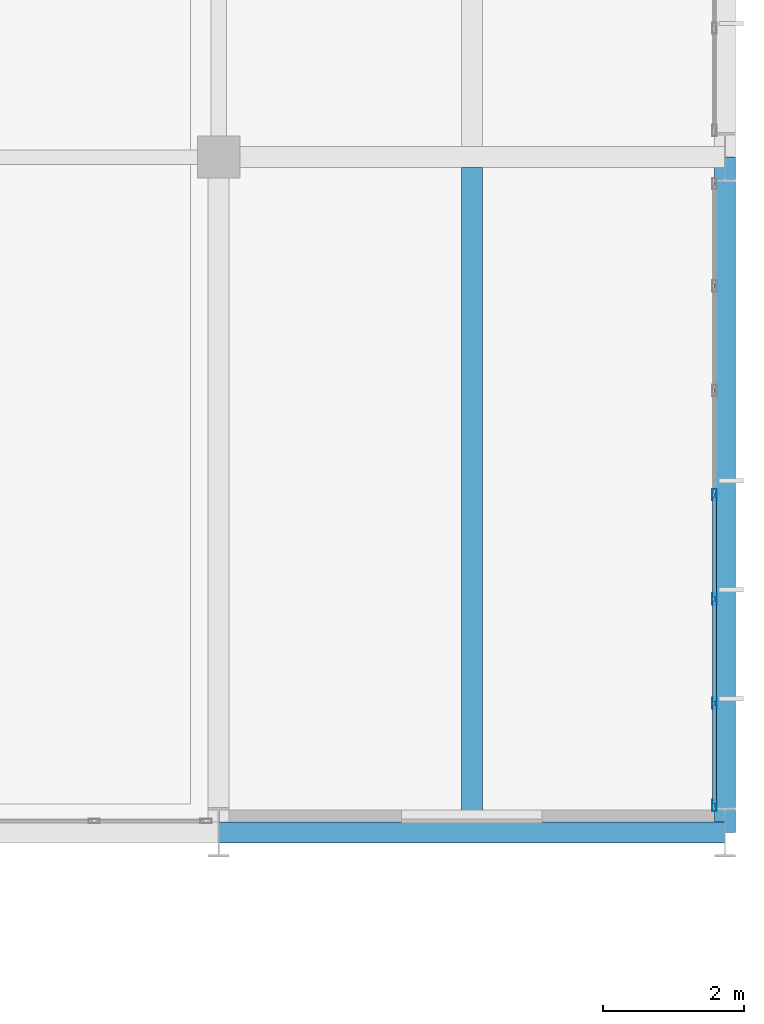
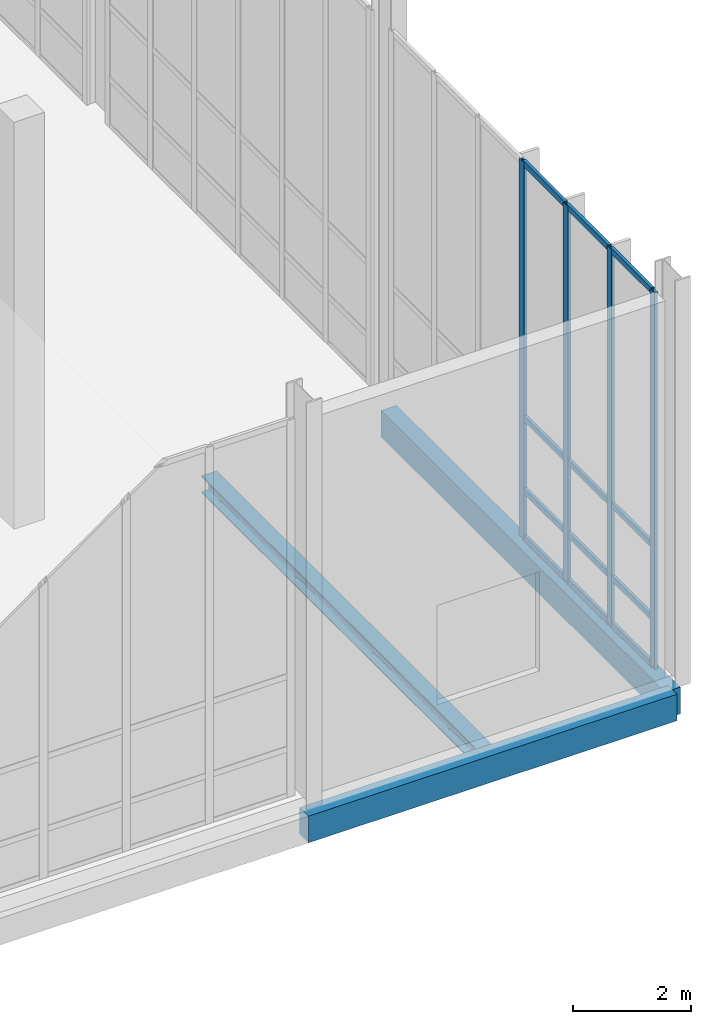
# One storey, part 86 of 131: 16 members, 3 beams, 1 element without a shape of its own.
"""IFC4 building model written with IfcOpenShell, lengths in metres."""

from ifc_helpers import new_model, si_unit, direction, frame, origin, origin_2d, place, context, subcontext, project, spatial, rectangle, hollow_rectangle, i_section, extrude, material, material_profile, profile_set, type_object, element, aggregate, save


model = new_model("IFC4")

# Units and contexts
model_context = context("Model", 3, precision=1e-05, world=origin(), true_north=direction((0.0, 1.0)))
body_context = subcontext(model_context, "Body", "Model", "MODEL_VIEW")
ifc_project = project(units=[si_unit("LENGTHUNIT", "METRE"), si_unit("AREAUNIT", "SQUARE_METRE"), si_unit("VOLUMEUNIT", "CUBIC_METRE"), si_unit("PLANEANGLEUNIT", "RADIAN"), si_unit("MASSUNIT", "GRAM", prefix="KILO")], contexts=[model_context])

# Site, building, storey
site_placement = place(None, origin())
site = spatial("IfcSite", under=ifc_project, at=site_placement, CompositionType="ELEMENT")
building_placement = place(site_placement, origin())
building = spatial("IfcBuilding", under=site, at=building_placement, Name="Veltarok Museum of Natural Sciences", CompositionType="ELEMENT")
storey_placement = place(building_placement, origin())
storey = spatial("IfcBuildingStorey", under=building, at=storey_placement, Name="L00", CompositionType="ELEMENT", Elevation=0.0)

# Curtain wall, members
ifc_material_1 = material(Name="Low-iron triple insulated glass", Category="glass")
curtain_wall_type = type_object("IfcCurtainWallType", Name="Curtain Wall System CW-V5E-L00-A-890x778 (V5 East Lab L00 A-B 890x778cm)", PredefinedType="NOTDEFINED", material=ifc_material_1)
curtain_wall_placement = place(storey_placement, origin())
curtain_wall = element("IfcCurtainWall", 1, at=curtain_wall_placement, inside=storey, type_object=curtain_wall_type, Name="Curtain Wall CW-V5E-L00-A-890x778 CW-0098", PredefinedType="NOTDEFINED")
ifc_material_2 = material(Name="Thermally broken anodised aluminium", Category="aluminium")
ifc_material_profile_1 = material_profile(ifc_material_2, hollow_rectangle(XDim=0.06005859375, YDim=0.1201171875, WallThickness=0.0048828125, at=origin_2d()), Name="CW TRANSOM 60x120x5")
ifc_profile_set_1 = profile_set([ifc_material_profile_1], Name="Thermally broken anodised aluminium")
member_type_1 = type_object("IfcMemberType", Name="Curtain Wall Horizontal Transom 60x120x5", PredefinedType="USERDEFINED", material=ifc_profile_set_1)
member_1_placement = place(storey_placement, frame((164.64990234375, 0.409912109375, 0.030029296875), z_axis=(0.0, 1.0, 0.0), x_axis=(-1.0, 0.0, 0.0)))
member_1 = element("IfcMember", 2, at=member_1_placement, type_object=member_type_1, Name="CW-V5E-L00-A-890x778 transom 1.1", ObjectType="TRANSOM", PredefinedType="USERDEFINED", context=body_context, shape_type="SweptSolid", body=[
    extrude(hollow_rectangle(XDim=0.06005859375, YDim=0.1201171875, WallThickness=0.0048828125, at=origin_2d()), origin(), (0.0, 0.0, 1.0), 1.393310546875),
])
member_2_placement = place(storey_placement, frame((164.64990234375, 0.409912109375, 1.0), z_axis=(0.0, 1.0, 0.0), x_axis=(-1.0, 0.0, 0.0)))
member_2 = element("IfcMember", 3, at=member_2_placement, type_object=member_type_1, Name="CW-V5E-L00-A-890x778 transom 1.2", ObjectType="TRANSOM", PredefinedType="USERDEFINED", context=body_context, shape_type="SweptSolid", body=[
    extrude(hollow_rectangle(XDim=0.06005859375, YDim=0.1201171875, WallThickness=0.0048828125, at=origin_2d()), origin(), (0.0, 0.0, 1.0), 1.393310546875),
])
member_3_placement = place(storey_placement, frame((164.64990234375, 0.409912109375, 2.5), z_axis=(0.0, 1.0, 0.0), x_axis=(-1.0, 0.0, 0.0)))
member_3 = element("IfcMember", 4, at=member_3_placement, type_object=member_type_1, Name="CW-V5E-L00-A-890x778 transom 1.3", ObjectType="TRANSOM", PredefinedType="USERDEFINED", context=body_context, shape_type="SweptSolid", body=[
    extrude(hollow_rectangle(XDim=0.06005859375, YDim=0.1201171875, WallThickness=0.0048828125, at=origin_2d()), origin(), (0.0, 0.0, 1.0), 1.393310546875),
])
member_4_placement = place(storey_placement, frame((164.64990234375, 0.409912109375, 7.75), z_axis=(0.0, 1.0, 0.0), x_axis=(-1.0, 0.0, 0.0)))
member_4 = element("IfcMember", 5, at=member_4_placement, type_object=member_type_1, Name="CW-V5E-L00-A-890x778 transom 1.4", ObjectType="TRANSOM", PredefinedType="USERDEFINED", context=body_context, shape_type="SweptSolid", body=[
    extrude(hollow_rectangle(XDim=0.06005859375, YDim=0.1201171875, WallThickness=0.0048828125, at=origin_2d()), origin(), (0.0, 0.0, 1.0), 1.393310546875),
])
member_5_placement = place(storey_placement, frame((164.64990234375, 1.86328125, 0.030029296875), z_axis=(0.0, 1.0, 0.0), x_axis=(-1.0, 0.0, 0.0)))
member_5 = element("IfcMember", 6, at=member_5_placement, type_object=member_type_1, Name="CW-V5E-L00-A-890x778 transom 2.1", ObjectType="TRANSOM", PredefinedType="USERDEFINED", context=body_context, shape_type="SweptSolid", body=[
    extrude(hollow_rectangle(XDim=0.06005859375, YDim=0.1201171875, WallThickness=0.0048828125, at=origin_2d()), origin(), (0.0, 0.0, 1.0), 1.42333984375),
])
member_6_placement = place(storey_placement, frame((164.64990234375, 1.86328125, 1.0), z_axis=(0.0, 1.0, 0.0), x_axis=(-1.0, 0.0, 0.0)))
member_6 = element("IfcMember", 7, at=member_6_placement, type_object=member_type_1, Name="CW-V5E-L00-A-890x778 transom 2.2", ObjectType="TRANSOM", PredefinedType="USERDEFINED", context=body_context, shape_type="SweptSolid", body=[
    extrude(hollow_rectangle(XDim=0.06005859375, YDim=0.1201171875, WallThickness=0.0048828125, at=origin_2d()), origin(), (0.0, 0.0, 1.0), 1.42333984375),
])
member_7_placement = place(storey_placement, frame((164.64990234375, 1.86328125, 2.5), z_axis=(0.0, 1.0, 0.0), x_axis=(-1.0, 0.0, 0.0)))
member_7 = element("IfcMember", 8, at=member_7_placement, type_object=member_type_1, Name="CW-V5E-L00-A-890x778 transom 2.3", ObjectType="TRANSOM", PredefinedType="USERDEFINED", context=body_context, shape_type="SweptSolid", body=[
    extrude(hollow_rectangle(XDim=0.06005859375, YDim=0.1201171875, WallThickness=0.0048828125, at=origin_2d()), origin(), (0.0, 0.0, 1.0), 1.42333984375),
])
member_8_placement = place(storey_placement, frame((164.64990234375, 1.86328125, 7.75), z_axis=(0.0, 1.0, 0.0), x_axis=(-1.0, 0.0, 0.0)))
member_8 = element("IfcMember", 9, at=member_8_placement, type_object=member_type_1, Name="CW-V5E-L00-A-890x778 transom 2.4", ObjectType="TRANSOM", PredefinedType="USERDEFINED", context=body_context, shape_type="SweptSolid", body=[
    extrude(hollow_rectangle(XDim=0.06005859375, YDim=0.1201171875, WallThickness=0.0048828125, at=origin_2d()), origin(), (0.0, 0.0, 1.0), 1.42333984375),
])
member_9_placement = place(storey_placement, frame((164.64990234375, 3.3466796875, 0.030029296875), z_axis=(0.0, 1.0, 0.0), x_axis=(-1.0, 0.0, 0.0)))
member_9 = element("IfcMember", 10, at=member_9_placement, type_object=member_type_1, Name="CW-V5E-L00-A-890x778 transom 3.1", ObjectType="TRANSOM", PredefinedType="USERDEFINED", context=body_context, shape_type="SweptSolid", body=[
    extrude(hollow_rectangle(XDim=0.06005859375, YDim=0.1201171875, WallThickness=0.0048828125, at=origin_2d()), origin(), (0.0, 0.0, 1.0), 1.42333984375),
])
member_10_placement = place(storey_placement, frame((164.64990234375, 3.3466796875, 1.0), z_axis=(0.0, 1.0, 0.0), x_axis=(-1.0, 0.0, 0.0)))
member_10 = element("IfcMember", 11, at=member_10_placement, type_object=member_type_1, Name="CW-V5E-L00-A-890x778 transom 3.2", ObjectType="TRANSOM", PredefinedType="USERDEFINED", context=body_context, shape_type="SweptSolid", body=[
    extrude(hollow_rectangle(XDim=0.06005859375, YDim=0.1201171875, WallThickness=0.0048828125, at=origin_2d()), origin(), (0.0, 0.0, 1.0), 1.42333984375),
])
member_11_placement = place(storey_placement, frame((164.64990234375, 3.3466796875, 2.5), z_axis=(0.0, 1.0, 0.0), x_axis=(-1.0, 0.0, 0.0)))
member_11 = element("IfcMember", 12, at=member_11_placement, type_object=member_type_1, Name="CW-V5E-L00-A-890x778 transom 3.3", ObjectType="TRANSOM", PredefinedType="USERDEFINED", context=body_context, shape_type="SweptSolid", body=[
    extrude(hollow_rectangle(XDim=0.06005859375, YDim=0.1201171875, WallThickness=0.0048828125, at=origin_2d()), origin(), (0.0, 0.0, 1.0), 1.42333984375),
])
member_12_placement = place(storey_placement, frame((164.64990234375, 3.3466796875, 7.75), z_axis=(0.0, 1.0, 0.0), x_axis=(-1.0, 0.0, 0.0)))
member_12 = element("IfcMember", 13, at=member_12_placement, type_object=member_type_1, Name="CW-V5E-L00-A-890x778 transom 3.4", ObjectType="TRANSOM", PredefinedType="USERDEFINED", context=body_context, shape_type="SweptSolid", body=[
    extrude(hollow_rectangle(XDim=0.06005859375, YDim=0.1201171875, WallThickness=0.0048828125, at=origin_2d()), origin(), (0.0, 0.0, 1.0), 1.42333984375),
])
ifc_material_profile_2 = material_profile(ifc_material_2, hollow_rectangle(XDim=0.06005859375, YDim=0.159912109375, WallThickness=0.0048828125, at=origin_2d()), Name="CW MULLION 60x160x5")
ifc_profile_set_2 = profile_set([ifc_material_profile_2], Name="Thermally broken anodised aluminium")
member_type_2 = type_object("IfcMemberType", Name="Curtain Wall Vertical Mullion 60x160x5", PredefinedType="MULLION", material=ifc_profile_set_2)
member_13_placement = place(storey_placement, frame((164.64990234375, 0.3798828125, 0.0), z_axis=(0.0, 0.0, 1.0), x_axis=(-1.0, 0.0, 0.0)))
member_13 = element("IfcMember", 14, at=member_13_placement, type_object=member_type_2, Name="CW-V5E-L00-A-890x778 mullion 1", PredefinedType="MULLION", context=body_context, shape_type="SweptSolid", body=[
    extrude(hollow_rectangle(XDim=0.06005859375, YDim=0.159912109375, WallThickness=0.0048828125, at=origin_2d()), origin(), (0.0, 0.0, 1.0), 7.780029296875),
])
member_14_placement = place(storey_placement, frame((164.64990234375, 1.833251953125, 0.0), z_axis=(0.0, 0.0, 1.0), x_axis=(-1.0, 0.0, 0.0)))
member_14 = element("IfcMember", 15, at=member_14_placement, type_object=member_type_2, Name="CW-V5E-L00-A-890x778 mullion 2", PredefinedType="MULLION", context=body_context, shape_type="SweptSolid", body=[
    extrude(hollow_rectangle(XDim=0.06005859375, YDim=0.159912109375, WallThickness=0.0048828125, at=origin_2d()), origin(), (0.0, 0.0, 1.0), 7.780029296875),
])
member_15_placement = place(storey_placement, frame((164.64990234375, 3.316650390625, 0.0), z_axis=(0.0, 0.0, 1.0), x_axis=(-1.0, 0.0, 0.0)))
member_15 = element("IfcMember", 16, at=member_15_placement, type_object=member_type_2, Name="CW-V5E-L00-A-890x778 mullion 3", PredefinedType="MULLION", context=body_context, shape_type="SweptSolid", body=[
    extrude(hollow_rectangle(XDim=0.06005859375, YDim=0.159912109375, WallThickness=0.0048828125, at=origin_2d()), origin(), (0.0, 0.0, 1.0), 7.780029296875),
])
member_16_placement = place(storey_placement, frame((164.64990234375, 4.800048828125, 0.0), z_axis=(0.0, 0.0, 1.0), x_axis=(-1.0, 0.0, 0.0)))
member_16 = element("IfcMember", 17, at=member_16_placement, type_object=member_type_2, Name="CW-V5E-L00-A-890x778 mullion 4", PredefinedType="MULLION", context=body_context, shape_type="SweptSolid", body=[
    extrude(hollow_rectangle(XDim=0.06005859375, YDim=0.159912109375, WallThickness=0.0048828125, at=origin_2d()), origin(), (0.0, 0.0, 1.0), 7.780029296875),
])
aggregate(curtain_wall, [member_13, member_14, member_15, member_16, member_1, member_2, member_3, member_4, member_5, member_6, member_7, member_8, member_9, member_10, member_11, member_12])

# Beams
ifc_material_3 = material(Name="Precast concrete C40/50", Category="concrete")
ifc_material_profile_3 = material_profile(ifc_material_3, rectangle(XDim=0.300048828125, YDim=0.550048828125, at=origin_2d()), Name="RC 300x550")
ifc_profile_set_3 = profile_set([ifc_material_profile_3], Name="Precast concrete C40/50")
beam_type_1 = type_object("IfcBeamType", Name="East Wing Precast Spandrel RC 300x550", PredefinedType="SPANDREL", material=ifc_profile_set_3)
beam_1_placement = place(storey_placement, frame((157.60009765625, 0.0, -0.574951171875), z_axis=(1.0, 0.0, 0.0), x_axis=(0.0, 1.0, 0.0)))
element("IfcBeam", 18, at=beam_1_placement, inside=storey, type_object=beam_type_1, Name="Beam BM-SP02 L00 19-20/A", PredefinedType="SPANDREL", context=body_context, shape_type="SweptSolid", body=[
    extrude(rectangle(XDim=0.300048828125, YDim=0.550048828125, at=origin_2d()), origin(), (0.0, 0.0, 1.0), 7.199951171875),
])
beam_2_placement = place(storey_placement, frame((164.800048828125, 0.0, -0.574951171875), z_axis=(0.0, 1.0, 0.0), x_axis=(-1.0, 0.0, 0.0)))
element("IfcBeam", 19, at=beam_2_placement, inside=storey, type_object=beam_type_1, Name="Beam BM-SP02 L00 20/A-B", PredefinedType="SPANDREL", context=body_context, shape_type="SweptSolid", body=[
    extrude(rectangle(XDim=0.300048828125, YDim=0.550048828125, at=origin_2d()), origin(), (0.0, 0.0, 1.0), 9.60009765625),
])
ifc_material_4 = material(Name="Steel S355J2", Category="steel")
ifc_material_profile_4 = material_profile(ifc_material_4, i_section(OverallWidth=0.300048828125, OverallDepth=0.35009765625, WebThickness=0.010009765625, FlangeThickness=0.017578125, FilletRadius=0.027099609375, at=origin_2d()), Name="HEA 360")
ifc_profile_set_4 = profile_set([ifc_material_profile_4], Name="Steel S355J2")
beam_type_2 = type_object("IfcBeamType", Name="Long-Span Gallery Joist HEA 360", PredefinedType="JOIST", material=ifc_profile_set_4)
beam_3_placement = place(storey_placement, frame((161.199951171875, 0.14794921875, -0.47509765625), z_axis=(0.0, 1.0, 0.0), x_axis=(-1.0, 0.0, 0.0)))
element("IfcBeam", 20, at=beam_3_placement, inside=storey, type_object=beam_type_2, Name="Secondary Joist BM-J07 L00 19-20/A-B.1", PredefinedType="JOIST", context=body_context, shape_type="SweptSolid", body=[
    extrude(i_section(OverallWidth=0.300048828125, OverallDepth=0.35009765625, WebThickness=0.010009765625, FlangeThickness=0.017578125, FilletRadius=0.027099609375, at=origin_2d()), origin(), (0.0, 0.0, 1.0), 9.303955078125),
])

save(model, "model.ifc")
